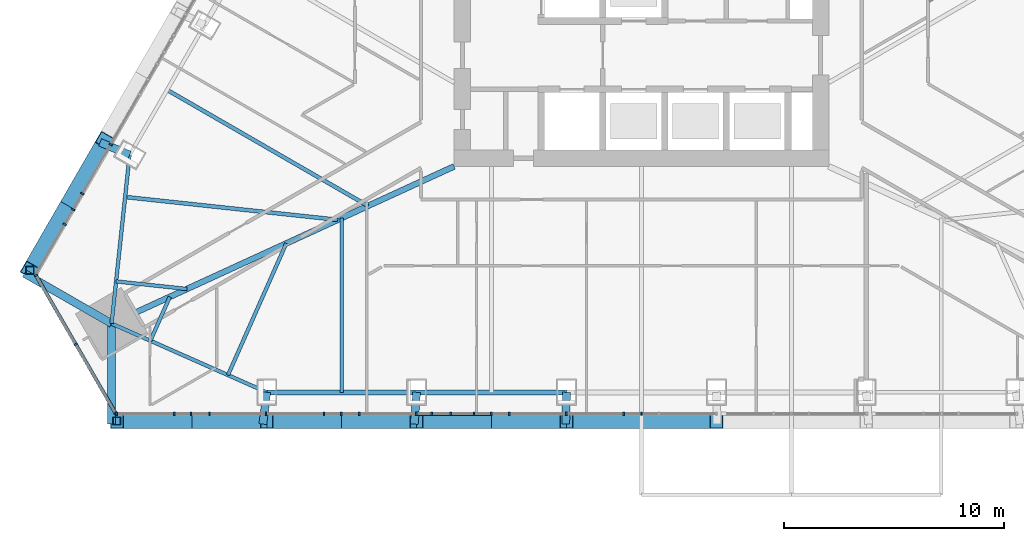
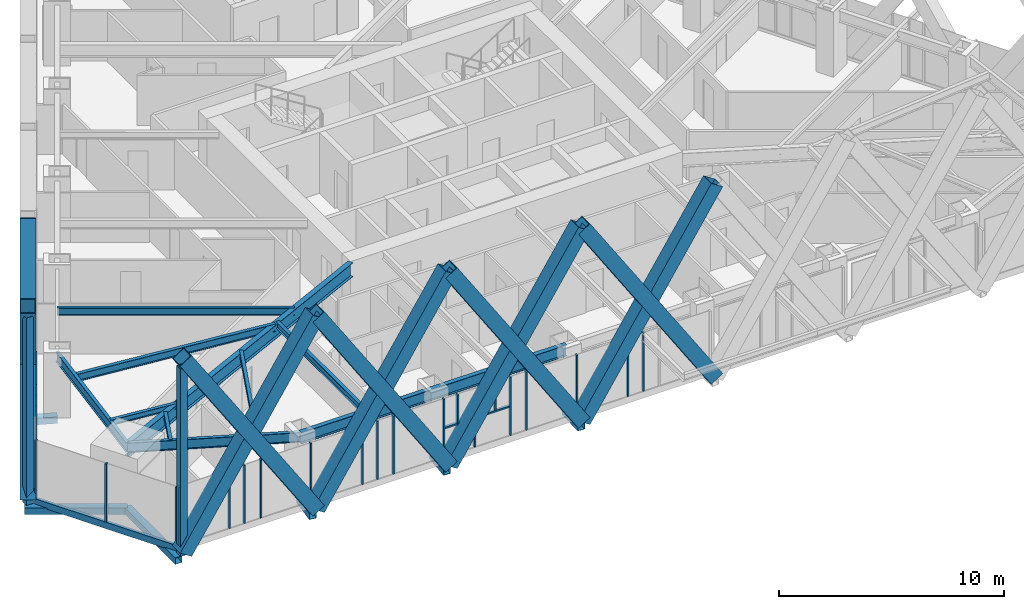
# One storey, part 2 of 24: 44 members, 10 beams, 3 elements without a shape of their own.
"""IFC4 building model written with IfcOpenShell, lengths in metres."""

import ifcopenshell
import ifcopenshell.guid

model = None  # the IFC model being written
_history = None  # IfcOwnerHistory: only IFC2X3 demands one
_inside = {}  # id of a spatial element -> (the spatial element, [elements in it])
_under = {}  # id of a project, library or spatial element -> (it, [spatial elements below it])
_declared = {}  # id of a project -> (the project, [libraries it declares])
_typed = {}  # id of a type object -> (the type object, [elements of that type])
_made_of = {}  # id of a material, layer set ... -> (it, [elements and type objects made of it])


def new_model(schema):
    """Start an empty IFC model of exactly this schema.

    Asked for "IFC4X3", IfcOpenShell would pick the latest addendum, in which some entities
    have other attributes; the version numbers below select the first issue.
    IFC2X3 requires an IfcOwnerHistory on every rooted entity: one is made here for all.
    """
    global model, _history
    if schema == "IFC4X3":
        model = ifcopenshell.file(schema_version=(4, 3, 0, 0))
    else:
        model = ifcopenshell.file(schema=schema)
    _inside.clear()
    _under.clear()
    _declared.clear()
    _typed.clear()
    _made_of.clear()
    _history = None
    if model.schema == "IFC2X3":
        org = make("IfcOrganization", Name="unknown")
        user = make(
            "IfcPersonAndOrganization",
            ThePerson=make("IfcPerson", FamilyName="unknown"),
            TheOrganization=org,
        )
        app = make(
            "IfcApplication",
            ApplicationDeveloper=org,
            Version="unknown",
            ApplicationFullName="unknown",
            ApplicationIdentifier="unknown",
        )
        _history = make(
            "IfcOwnerHistory",
            OwningUser=user,
            OwningApplication=app,
            ChangeAction="ADDED",
            CreationDate=0,
        )
    return model


def make(cls, **values):
    """One entity of the class cls with the attributes given. An attribute that is None is left unset."""
    return model.create_entity(
        cls, **{name: value for name, value in values.items() if value is not None}
    )


def rooted(cls, **values):
    """An entity with a GlobalId (a new one), such as an element, a storey or a relation."""
    return make(cls, GlobalId=ifcopenshell.guid.new(), OwnerHistory=_history, **values)


def si_unit(unit_type, name, prefix=None):
    """IfcSIUnit, for example si_unit("LENGTHUNIT", "METRE", prefix="MILLI")."""
    return make("IfcSIUnit", UnitType=unit_type, Prefix=prefix, Name=name)


def assignment(units):
    """IfcUnitAssignment: the units of a project."""
    return None if units is None else make("IfcUnitAssignment", Units=units)


def point(xyz):
    """IfcCartesianPoint."""
    return None if xyz is None else make("IfcCartesianPoint", Coordinates=xyz)


def direction(xyz):
    """IfcDirection."""
    return None if xyz is None else make("IfcDirection", DirectionRatios=xyz)


def frame(location, z_axis=None, x_axis=None):
    """IfcAxis2Placement3D, a coordinate frame: its origin and axes. An axis left out is left unset."""
    return make(
        "IfcAxis2Placement3D",
        Location=point(location),
        Axis=direction(z_axis),
        RefDirection=direction(x_axis),
    )


def frame_2d(location, x_axis=None):
    """IfcAxis2Placement2D, a coordinate frame in the plane: its origin and x axis."""
    return make(
        "IfcAxis2Placement2D", Location=point(location), RefDirection=direction(x_axis)
    )


def origin():
    """The frame at (0, 0, 0) with its axes left unset."""
    return frame((0.0, 0.0, 0.0))


def origin_2d():
    """The frame at (0, 0) in the plane with its x axis left unset."""
    return frame_2d((0.0, 0.0))


def place(relative_to, where):
    """IfcLocalPlacement: puts the frame where relative to a parent placement (None: the world)."""
    return make(
        "IfcLocalPlacement", PlacementRelTo=relative_to, RelativePlacement=where
    )


def context(
    kind, dimensions, precision=None, world=None, true_north=None, identifier=None
):
    """IfcGeometricRepresentationContext, for example the 3D "Model" context."""
    return make(
        "IfcGeometricRepresentationContext",
        ContextIdentifier=identifier,
        ContextType=kind,
        CoordinateSpaceDimension=dimensions,
        Precision=precision,
        WorldCoordinateSystem=world,
        TrueNorth=true_north,
    )


def subcontext(parent, identifier, kind, view, scale=None):
    """IfcGeometricRepresentationSubContext, for example "Body" below "Model"."""
    return make(
        "IfcGeometricRepresentationSubContext",
        ContextIdentifier=identifier,
        ContextType=kind,
        ParentContext=parent,
        TargetScale=scale,
        TargetView=view,
    )


def project(units=None, contexts=None):
    """IfcProject with its units and contexts."""
    return rooted(
        "IfcProject",
        Name="project",
        RepresentationContexts=contexts,
        UnitsInContext=assignment(units),
    )


def spatial(cls, under=None, at=None, **own):
    """A site, building, storey or space (cls), placed at a placement, below another one or the project."""
    s = rooted(cls, ObjectPlacement=at, **own)
    if under is not None:
        _under.setdefault(under.id(), (under, []))[1].append(s)
    return s


def profile(cls, at=None, kind="AREA", **sizes):
    """A parametric profile (cls). Its sizes go by their IFC names, for example OverallWidth=200.0."""
    return make(cls, ProfileType=kind, Position=at, **sizes)


def rectangle(**sizes):
    """IfcRectangleProfileDef."""
    return profile("IfcRectangleProfileDef", **sizes)


def hollow_rectangle(**sizes):
    """IfcRectangleHollowProfileDef."""
    return profile("IfcRectangleHollowProfileDef", **sizes)


def i_section(**sizes):
    """IfcIShapeProfileDef."""
    return profile("IfcIShapeProfileDef", **sizes)


def extrude(swept, where, along, depth):
    """IfcExtrudedAreaSolid: the profile swept, set in the frame where, extruded along a direction by depth."""
    return make(
        "IfcExtrudedAreaSolid",
        SweptArea=swept,
        Position=where,
        ExtrudedDirection=direction(along),
        Depth=depth,
    )


def shape(context_of_items, identifier, shape_type, items):
    """IfcShapeRepresentation: the items that make up one representation, for example the "Body"."""
    return make(
        "IfcShapeRepresentation",
        ContextOfItems=context_of_items,
        RepresentationIdentifier=identifier,
        RepresentationType=shape_type,
        Items=items,
    )


def material(Name=None, Category=None):
    """IfcMaterial."""
    return make("IfcMaterial", Name=Name, Category=Category)


def layer(
    of_material, thickness, ventilated=None, Name=None, Category=None, Priority=None
):
    """IfcMaterialLayer: one layer of a wall or slab, of a material (None: an air gap)."""
    return make(
        "IfcMaterialLayer",
        Material=of_material,
        LayerThickness=thickness,
        IsVentilated=ventilated,
        Name=Name,
        Category=Category,
        Priority=Priority,
    )


def layer_set(layers, Name=None):
    """IfcMaterialLayerSet."""
    return make("IfcMaterialLayerSet", MaterialLayers=layers, LayerSetName=Name)


def material_profile(
    of_material, cross_section, Name=None, Category=None, Priority=None
):
    """IfcMaterialProfile: a cross section and its material."""
    return make(
        "IfcMaterialProfile",
        Name=Name,
        Material=of_material,
        Profile=cross_section,
        Priority=Priority,
        Category=Category,
    )


def profile_set(profiles, Name=None, composite=None):
    """IfcMaterialProfileSet."""
    return make(
        "IfcMaterialProfileSet",
        Name=Name,
        MaterialProfiles=profiles,
        CompositeProfile=composite,
    )


def made_of(thing, what):
    """Note that an element or type object is made of a material, layer set ...; save() writes the relation."""
    if what is not None:
        _made_of.setdefault(what.id(), (what, []))[1].append(thing)
    return thing


def type_object(cls, material=None, **own):
    """A type object (cls), such as IfcWallType, which elements share."""
    return made_of(rooted(cls, **own), material)


def element(
    cls,
    number,
    at=None,
    inside=None,
    cuts=None,
    type_object=None,
    material=None,
    context=None,
    identifier="Body",
    shape_type=None,
    held_by="IfcProductDefinitionShape",
    body=None,
    shapes=None,
    **own,
):
    """One element of the class cls, such as IfcWall. Its Tag is "e" and its number.

    at: its placement. inside: the storey or other place that contains it. cuts: it is an
    opening in that element (IfcRelVoidsElement). A single representation is given by context,
    identifier, shape_type and body (its items); several are given by shapes. held_by: the class
    of the entity that holds the representations. save() writes the other relations.
    """
    e = rooted(cls, Tag="e%d" % number, ObjectPlacement=at, **own)
    if body is not None:
        shapes = [shape(context, identifier, shape_type, body)]
    if shapes is not None:
        e.Representation = make(held_by, Representations=shapes)
    if inside is not None:
        _inside.setdefault(inside.id(), (inside, []))[1].append(e)
    if cuts is not None:
        rooted(
            "IfcRelVoidsElement", RelatingBuildingElement=cuts, RelatedOpeningElement=e
        )
    if type_object is not None:
        _typed.setdefault(type_object.id(), (type_object, []))[1].append(e)
    return made_of(e, material)


def aggregate(whole, parts):
    """IfcRelAggregates: a whole, such as a stair, and the parts it consists of."""
    return rooted("IfcRelAggregates", RelatingObject=whole, RelatedObjects=parts)


def save(model, path):
    """Write the relations noted so far, then the file.

    IfcRelAggregates (storeys below a building ...), IfcRelContainedInSpatialStructure (elements
    in a storey), IfcRelDefinesByType, IfcRelAssociatesMaterial and IfcRelDeclares: one each for
    every whole, place, type object, material and project.
    """
    for whole, parts in _under.values():
        aggregate(whole, parts)
    for where, things in _inside.values():
        rooted(
            "IfcRelContainedInSpatialStructure",
            RelatedElements=things,
            RelatingStructure=where,
        )
    for kind, things in _typed.values():
        rooted("IfcRelDefinesByType", RelatedObjects=things, RelatingType=kind)
    for what, things in _made_of.values():
        rooted("IfcRelAssociatesMaterial", RelatedObjects=things, RelatingMaterial=what)
    for by, libraries in _declared.values():
        rooted("IfcRelDeclares", RelatingContext=by, RelatedDefinitions=libraries)
    model.write(path)


model = new_model("IFC4")

# Units and contexts
model_context = context("Model", 3, precision=1e-05, world=origin(), true_north=direction((0.0, 1.0)))
body_context = subcontext(model_context, "Body", "Model", "MODEL_VIEW")
ifc_project = project(units=[si_unit("LENGTHUNIT", "METRE"), si_unit("AREAUNIT", "SQUARE_METRE"), si_unit("VOLUMEUNIT", "CUBIC_METRE"), si_unit("PLANEANGLEUNIT", "RADIAN"), si_unit("MASSUNIT", "GRAM", prefix="KILO")], contexts=[model_context])

# Site, building, storey
site_placement = place(None, origin())
site = spatial("IfcSite", under=ifc_project, at=site_placement, CompositionType="ELEMENT")
building_placement = place(site_placement, origin())
building = spatial("IfcBuilding", under=site, at=building_placement, Name="Firuza Gate Tower and Library", CompositionType="ELEMENT")
storey_placement = place(building_placement, frame((0.0, 0.0, 260.10009765625)))
storey = spatial("IfcBuildingStorey", under=building, at=storey_placement, Name="L61", CompositionType="ELEMENT", Elevation=260.10009765625)

# Members
ifc_material_1 = material(Name="Steel S355", Category="steel")
ifc_material_profile_1 = material_profile(ifc_material_1, hollow_rectangle(XDim=0.699951171875, YDim=0.699951171875, WallThickness=0.030029296875, at=origin_2d()))
ifc_profile_set_1 = profile_set([ifc_material_profile_1], Name="Steel S355")
member_type_1 = type_object("IfcMemberType", Name="BU700x700x30 Lattice brace", PredefinedType="BRACE", material=ifc_profile_set_1)
for number, where, z_axis, x_axis, name in (
    (1, (51.199951171875, 56.7021484375, 0.0), (0.543585438584, 0.0, 0.839353841332), (0.0, 1.0, 0.0), "Lattice brace S 15.1R"),
    (2, (58.0, 56.7021484375, 0.0), (-0.543585438584, 0.0, 0.839353841332), (0.0, -1.0, 0.0), "Lattice brace S 15.1L"),
    (3, (58.0, 56.7021484375, 0.0), (0.543585438584, 0.0, 0.839353841332), (0.0, 1.0, 0.0), "Lattice brace S 15.2R"),
    (4, (64.800048828125, 56.7021484375, 0.0), (-0.543585438584, 0.0, 0.839353841332), (0.0, -1.0, 0.0), "Lattice brace S 15.2L"),
    (5, (64.800048828125, 56.7021484375, 0.0), (0.543585438584, 0.0, 0.839353841332), (0.0, 1.0, 0.0), "Lattice brace S 15.3R"),
    (6, (71.60009765625, 56.7021484375, 0.0), (-0.543585438584, 0.0, 0.839353841332), (0.0, -1.0, 0.0), "Lattice brace S 15.3L"),
    (7, (71.60009765625, 56.7021484375, 0.0), (0.543571688894, 0.0, 0.839362745798), (0.0, 1.0, 0.0), "Lattice brace S 15.4R"),
    (8, (78.39990234375, 56.7021484375, 0.0), (-0.543571688894, 0.0, 0.839362745798), (0.0, -1.0, 0.0), "Lattice brace S 15.4L"),
    (9, (50.653564453125, 69.426513671875, 0.0), (-0.2717846947, -0.470753886318, 0.839359195007), (0.866029536736, -0.499992841449, 0.0), "Lattice brace W 15.7R"),
    (10, (47.253662109375, 63.53759765625, 0.0), (0.2717846947, 0.470753886318, 0.839359195007), (-0.866029536736, 0.499992841449, 0.0), "Lattice brace W 15.7L"),
):
    element("IfcMember", number, at=place(storey_placement, frame(where, z_axis=z_axis, x_axis=x_axis)), inside=storey, type_object=member_type_1, Name=name, PredefinedType="BRACE", context=body_context, shape_type="SweptSolid", body=[
        extrude(hollow_rectangle(XDim=0.699951171875, YDim=0.699951171875, WallThickness=0.030029296875, at=origin_2d()), origin(), (0.0, 0.0, 1.0), 12.509521484375),
    ])

# Curtain wall, members
ifc_material_2 = material(Name="Aluminium 6063-T6", Category="aluminium")
ifc_layer_1 = layer(ifc_material_2, 0.14990234375)
ifc_layer_set_1 = layer_set([ifc_layer_1], Name="Unitised curtain wall, residences")
curtain_wall_type_1 = type_object("IfcCurtainWallType", Name="Unitised curtain wall, residences", PredefinedType="NOTDEFINED", material=ifc_layer_set_1)
placement = place(storey_placement, origin())
curtain_wall_1 = element("IfcCurtainWall", 11, at=placement, inside=storey, type_object=curtain_wall_type_1, Name="CW3 L61 S face", PredefinedType="NOTDEFINED")
ifc_material_3 = material(Name="Aluminium 6063-T6", Category="aluminium")
ifc_material_profile_2 = material_profile(ifc_material_3, rectangle(XDim=0.14990234375, YDim=0.080078125, at=origin_2d()))
ifc_profile_set_2 = profile_set([ifc_material_profile_2], Name="Aluminium 6063-T6")
member_type_2 = type_object("IfcMemberType", Name="Curtain wall mullion 80x150", PredefinedType="MULLION", material=ifc_profile_set_2)
member_1_placement = place(storey_placement, frame((51.19677734375, 57.027099609375, 0.14990234375), z_axis=(0.0, 0.0, 1.0), x_axis=(0.0, 1.0, 0.0)))
member_1 = element("IfcMember", 12, at=member_1_placement, type_object=member_type_2, Name="Mullion", PredefinedType="MULLION", context=body_context, shape_type="SweptSolid", body=[
    extrude(rectangle(XDim=0.14990234375, YDim=0.080078125, at=origin_2d()), origin(), (0.0, 0.0, 1.0), 3.14990234375),
])
member_2_placement = place(storey_placement, frame((54.56298828125, 57.027099609375, 0.14990234375), z_axis=(0.0, 0.0, 1.0), x_axis=(0.0, 1.0, 0.0)))
member_2 = element("IfcMember", 13, at=member_2_placement, type_object=member_type_2, Name="Mullion", PredefinedType="MULLION", context=body_context, shape_type="SweptSolid", body=[
    extrude(rectangle(XDim=0.14990234375, YDim=0.080078125, at=origin_2d()), origin(), (0.0, 0.0, 1.0), 3.14990234375),
])
member_3_placement = place(storey_placement, frame((57.968994140625, 57.027099609375, 0.14990234375), z_axis=(0.0, 0.0, 1.0), x_axis=(0.0, 1.0, 0.0)))
member_3 = element("IfcMember", 14, at=member_3_placement, type_object=member_type_2, Name="Mullion", PredefinedType="MULLION", context=body_context, shape_type="SweptSolid", body=[
    extrude(rectangle(XDim=0.14990234375, YDim=0.080078125, at=origin_2d()), origin(), (0.0, 0.0, 1.0), 3.14990234375),
])
member_4_placement = place(storey_placement, frame((61.375244140625, 57.027099609375, 0.14990234375), z_axis=(0.0, 0.0, 1.0), x_axis=(0.0, 1.0, 0.0)))
member_4 = element("IfcMember", 15, at=member_4_placement, type_object=member_type_2, Name="Mullion", PredefinedType="MULLION", context=body_context, shape_type="SweptSolid", body=[
    extrude(rectangle(XDim=0.14990234375, YDim=0.080078125, at=origin_2d()), origin(), (0.0, 0.0, 1.0), 3.14990234375),
])
member_5_placement = place(storey_placement, frame((64.781494140625, 57.027099609375, 0.14990234375), z_axis=(0.0, 0.0, 1.0), x_axis=(0.0, 1.0, 0.0)))
member_5 = element("IfcMember", 16, at=member_5_placement, type_object=member_type_2, Name="Mullion", PredefinedType="MULLION", context=body_context, shape_type="SweptSolid", body=[
    extrude(rectangle(XDim=0.14990234375, YDim=0.080078125, at=origin_2d()), origin(), (0.0, 0.0, 1.0), 3.14990234375),
])
member_6_placement = place(storey_placement, frame((68.187744140625, 57.027099609375, 0.14990234375), z_axis=(0.0, 0.0, 1.0), x_axis=(0.0, 1.0, 0.0)))
member_6 = element("IfcMember", 17, at=member_6_placement, type_object=member_type_2, Name="Mullion", PredefinedType="MULLION", context=body_context, shape_type="SweptSolid", body=[
    extrude(rectangle(XDim=0.14990234375, YDim=0.080078125, at=origin_2d()), origin(), (0.0, 0.0, 1.0), 3.14990234375),
])
member_7_placement = place(storey_placement, frame((71.59375, 57.027099609375, 0.14990234375), z_axis=(0.0, 0.0, 1.0), x_axis=(0.0, 1.0, 0.0)))
member_7 = element("IfcMember", 18, at=member_7_placement, type_object=member_type_2, Name="Mullion", PredefinedType="MULLION", context=body_context, shape_type="SweptSolid", body=[
    extrude(rectangle(XDim=0.14990234375, YDim=0.080078125, at=origin_2d()), origin(), (0.0, 0.0, 1.0), 3.14990234375),
])
member_8_placement = place(storey_placement, frame((75.0, 57.027099609375, 0.14990234375), z_axis=(0.0, 0.0, 1.0), x_axis=(0.0, 1.0, 0.0)))
member_8 = element("IfcMember", 19, at=member_8_placement, type_object=member_type_2, Name="Mullion", PredefinedType="MULLION", context=body_context, shape_type="SweptSolid", body=[
    extrude(rectangle(XDim=0.14990234375, YDim=0.080078125, at=origin_2d()), origin(), (0.0, 0.0, 1.0), 3.14990234375),
])
member_9_placement = place(storey_placement, frame((53.799072265625, 57.027099609375, 0.14990234375), z_axis=(0.0, 0.0, 1.0), x_axis=(0.0, 1.0, 0.0)))
member_9 = element("IfcMember", 20, at=member_9_placement, type_object=member_type_2, Name="Mullion", PredefinedType="MULLION", context=body_context, shape_type="SweptSolid", body=[
    extrude(rectangle(XDim=0.14990234375, YDim=0.080078125, at=origin_2d()), origin(), (0.0, 0.0, 1.0), 3.14990234375),
])
member_10_placement = place(storey_placement, frame((55.40087890625, 57.027099609375, 0.14990234375), z_axis=(0.0, 0.0, 1.0), x_axis=(0.0, 1.0, 0.0)))
member_10 = element("IfcMember", 21, at=member_10_placement, type_object=member_type_2, Name="Mullion", PredefinedType="MULLION", context=body_context, shape_type="SweptSolid", body=[
    extrude(rectangle(XDim=0.14990234375, YDim=0.080078125, at=origin_2d()), origin(), (0.0, 0.0, 1.0), 3.14990234375),
])
member_11_placement = place(storey_placement, frame((60.59912109375, 57.027099609375, 0.14990234375), z_axis=(0.0, 0.0, 1.0), x_axis=(0.0, 1.0, 0.0)))
member_11 = element("IfcMember", 22, at=member_11_placement, type_object=member_type_2, Name="Mullion", PredefinedType="MULLION", context=body_context, shape_type="SweptSolid", body=[
    extrude(rectangle(XDim=0.14990234375, YDim=0.080078125, at=origin_2d()), origin(), (0.0, 0.0, 1.0), 3.14990234375),
])
member_12_placement = place(storey_placement, frame((62.200927734375, 57.027099609375, 0.14990234375), z_axis=(0.0, 0.0, 1.0), x_axis=(0.0, 1.0, 0.0)))
member_12 = element("IfcMember", 23, at=member_12_placement, type_object=member_type_2, Name="Mullion", PredefinedType="MULLION", context=body_context, shape_type="SweptSolid", body=[
    extrude(rectangle(XDim=0.14990234375, YDim=0.080078125, at=origin_2d()), origin(), (0.0, 0.0, 1.0), 3.14990234375),
])
member_13_placement = place(storey_placement, frame((66.353271484375, 57.027099609375, 0.14990234375), z_axis=(0.0, 0.0, 1.0), x_axis=(0.0, 1.0, 0.0)))
member_13 = element("IfcMember", 24, at=member_13_placement, type_object=member_type_2, Name="Mullion", PredefinedType="MULLION", context=body_context, shape_type="SweptSolid", body=[
    extrude(rectangle(XDim=0.14990234375, YDim=0.080078125, at=origin_2d()), origin(), (0.0, 0.0, 1.0), 1.534912109375),
])
member_14_placement = place(storey_placement, frame((65.48095703125, 57.027099609375, 1.764892578125), z_axis=(0.0, 0.0, 1.0), x_axis=(0.0, 1.0, 0.0)))
member_14 = element("IfcMember", 25, at=member_14_placement, type_object=member_type_2, Name="Mullion", PredefinedType="MULLION", context=body_context, shape_type="SweptSolid", body=[
    extrude(rectangle(XDim=0.14990234375, YDim=0.080078125, at=origin_2d()), origin(), (0.0, 0.0, 1.0), 1.534912109375),
])
member_15_placement = place(storey_placement, frame((67.399169921875, 57.027099609375, 1.764892578125), z_axis=(0.0, 0.0, 1.0), x_axis=(0.0, 1.0, 0.0)))
member_15 = element("IfcMember", 26, at=member_15_placement, type_object=member_type_2, Name="Mullion", PredefinedType="MULLION", context=body_context, shape_type="SweptSolid", body=[
    extrude(rectangle(XDim=0.14990234375, YDim=0.080078125, at=origin_2d()), origin(), (0.0, 0.0, 1.0), 1.534912109375),
])
member_16_placement = place(storey_placement, frame((69.0009765625, 57.027099609375, 0.14990234375), z_axis=(0.0, 0.0, 1.0), x_axis=(0.0, 1.0, 0.0)))
member_16 = element("IfcMember", 27, at=member_16_placement, type_object=member_type_2, Name="Mullion", PredefinedType="MULLION", context=body_context, shape_type="SweptSolid", body=[
    extrude(rectangle(XDim=0.14990234375, YDim=0.080078125, at=origin_2d()), origin(), (0.0, 0.0, 1.0), 3.14990234375),
])
member_17_placement = place(storey_placement, frame((74.19921875, 57.027099609375, 0.14990234375), z_axis=(0.0, 0.0, 1.0), x_axis=(0.0, 1.0, 0.0)))
member_17 = element("IfcMember", 28, at=member_17_placement, type_object=member_type_2, Name="Mullion", PredefinedType="MULLION", context=body_context, shape_type="SweptSolid", body=[
    extrude(rectangle(XDim=0.14990234375, YDim=0.080078125, at=origin_2d()), origin(), (0.0, 0.0, 1.0), 3.14990234375),
])

curtain_wall_2 = element("IfcCurtainWall", 29, at=placement, inside=storey, type_object=curtain_wall_type_1, Name="CW3 L61 W face", PredefinedType="NOTDEFINED")
member_18_placement = place(storey_placement, frame((50.919677734375, 69.2373046875, 0.14990234375), z_axis=(0.0, 0.0, 1.0), x_axis=(0.866025403784, -0.5, 0.0)))
member_18 = element("IfcMember", 30, at=member_18_placement, type_object=member_type_2, Name="Mullion", PredefinedType="MULLION", context=body_context, shape_type="SweptSolid", body=[
    extrude(rectangle(XDim=0.14990234375, YDim=0.080078125, at=origin_2d()), origin(), (0.0, 0.0, 1.0), 3.14990234375),
])
member_19_placement = place(storey_placement, frame((49.216552734375, 66.287353515625, 0.14990234375), z_axis=(0.0, 0.0, 1.0), x_axis=(0.866025403784, -0.5, 0.0)))
member_19 = element("IfcMember", 31, at=member_19_placement, type_object=member_type_2, Name="Mullion", PredefinedType="MULLION", context=body_context, shape_type="SweptSolid", body=[
    extrude(rectangle(XDim=0.14990234375, YDim=0.080078125, at=origin_2d()), origin(), (0.0, 0.0, 1.0), 3.14990234375),
])
member_20_placement = place(storey_placement, frame((49.635498046875, 67.01318359375, 0.14990234375), z_axis=(0.0, 0.0, 1.0), x_axis=(0.866025403784, -0.5, 0.0)))
member_20 = element("IfcMember", 32, at=member_20_placement, type_object=member_type_2, Name="Mullion", PredefinedType="MULLION", context=body_context, shape_type="SweptSolid", body=[
    extrude(rectangle(XDim=0.14990234375, YDim=0.080078125, at=origin_2d()), origin(), (0.0, 0.0, 1.0), 3.14990234375),
])
member_21_placement = place(storey_placement, frame((48.834716796875, 65.6259765625, 0.14990234375), z_axis=(0.0, 0.0, 1.0), x_axis=(0.866025403784, -0.5, 0.0)))
member_21 = element("IfcMember", 33, at=member_21_placement, type_object=member_type_2, Name="Mullion", PredefinedType="MULLION", context=body_context, shape_type="SweptSolid", body=[
    extrude(rectangle(XDim=0.14990234375, YDim=0.080078125, at=origin_2d()), origin(), (0.0, 0.0, 1.0), 3.14990234375),
])
aggregate(curtain_wall_2, [member_18, member_19, member_20, member_21])

ifc_material_4 = material(Name="Aluminium 6063-T6", Category="aluminium")
ifc_layer_2 = layer(ifc_material_4, 0.14990234375)
ifc_layer_set_2 = layer_set([ifc_layer_2], Name="Corner curtain wall, chamfers")
curtain_wall_type_2 = type_object("IfcCurtainWallType", Name="Corner curtain wall, chamfers", PredefinedType="NOTDEFINED", material=ifc_layer_set_2)
curtain_wall_3 = element("IfcCurtainWall", 34, at=placement, inside=storey, type_object=curtain_wall_type_2, Name="CW4 L61 SW corner", PredefinedType="NOTDEFINED")
member_22_placement = place(storey_placement, frame((47.533447265625, 63.302978515625, 0.14990234375), z_axis=(0.0, 0.0, 1.0), x_axis=(0.866025403784, 0.5, 0.0)))
member_22 = element("IfcMember", 35, at=member_22_placement, type_object=member_type_2, Name="Mullion", PredefinedType="MULLION", context=body_context, shape_type="SweptSolid", body=[
    extrude(rectangle(XDim=0.14990234375, YDim=0.080078125, at=origin_2d()), origin(), (0.0, 0.0, 1.0), 3.14990234375),
])
member_23_placement = place(storey_placement, frame((49.3349609375, 60.182373046875, 0.14990234375), z_axis=(0.0, 0.0, 1.0), x_axis=(0.866025403784, 0.5, 0.0)))
member_23 = element("IfcMember", 36, at=member_23_placement, type_object=member_type_2, Name="Mullion", PredefinedType="MULLION", context=body_context, shape_type="SweptSolid", body=[
    extrude(rectangle(XDim=0.14990234375, YDim=0.080078125, at=origin_2d()), origin(), (0.0, 0.0, 1.0), 3.14990234375),
])
member_24_placement = place(storey_placement, frame((51.13671875, 57.061767578125, 0.14990234375), z_axis=(0.0, 0.0, 1.0), x_axis=(0.866025403784, 0.5, 0.0)))
member_24 = element("IfcMember", 37, at=member_24_placement, type_object=member_type_2, Name="Mullion", PredefinedType="MULLION", context=body_context, shape_type="SweptSolid", body=[
    extrude(rectangle(XDim=0.14990234375, YDim=0.080078125, at=origin_2d()), origin(), (0.0, 0.0, 1.0), 3.14990234375),
])
ifc_material_5 = material(Name="Aluminium 6063-T6", Category="aluminium")
ifc_material_profile_3 = material_profile(ifc_material_5, rectangle(XDim=0.14990234375, YDim=0.35009765625, at=origin_2d()))
ifc_profile_set_3 = profile_set([ifc_material_profile_3], Name="Aluminium 6063-T6")
member_type_3 = type_object("IfcMemberType", Name="Curtain wall transom 350x150", PredefinedType="USERDEFINED", material=ifc_profile_set_3)
member_25_placement = place(storey_placement, frame((47.513427734375, 63.337646484375, -0.025146484375), z_axis=(0.499991211061, -0.866030478021, 0.0), x_axis=(0.866030478021, 0.499991211061, 0.0)))
member_25 = element("IfcMember", 38, at=member_25_placement, type_object=member_type_3, Name="Transom", ObjectType="TRANSOM", PredefinedType="USERDEFINED", context=body_context, shape_type="SweptSolid", body=[
    extrude(rectangle(XDim=0.14990234375, YDim=0.35009765625, at=origin_2d()), origin(), (0.0, 0.0, 1.0), 7.286865234375),
])
aggregate(curtain_wall_3, [member_22, member_23, member_24, member_25])

# Member
ifc_material_6 = material(Name="Aluminium 6063-T6", Category="aluminium")
ifc_material_profile_4 = material_profile(ifc_material_6, rectangle(XDim=0.14990234375, YDim=0.080078125, at=origin_2d()))
ifc_profile_set_4 = profile_set([ifc_material_profile_4], Name="Aluminium 6063-T6")
member_type_4 = type_object("IfcMemberType", Name="Curtain wall transom 80x150", PredefinedType="USERDEFINED", material=ifc_profile_set_4)
member_26_placement = place(storey_placement, frame((64.821533203125, 57.027099609375, 1.724853515625), z_axis=(1.0, 0.0, 0.0), x_axis=(0.0, 1.0, 0.0)))
member_26 = element("IfcMember", 39, at=member_26_placement, type_object=member_type_4, Name="Transom", ObjectType="TRANSOM", PredefinedType="USERDEFINED", context=body_context, shape_type="SweptSolid", body=[
    extrude(rectangle(XDim=0.14990234375, YDim=0.080078125, at=origin_2d()), origin(), (0.0, 0.0, 1.0), 3.326171875),
])

aggregate(curtain_wall_1, [member_1, member_2, member_3, member_4, member_5, member_6, member_7, member_8, member_9, member_10, member_11, member_12, member_13, member_14, member_15, member_26, member_16, member_17])

# Members
ifc_material_7 = material(Name="Steel S355", Category="steel")
ifc_material_profile_5 = material_profile(ifc_material_7, hollow_rectangle(XDim=0.355712890625, YDim=0.355712890625, WallThickness=0.014892578125, at=origin_2d()))
ifc_profile_set_5 = profile_set([ifc_material_profile_5], Name="Steel S355")
member_type_5 = type_object("IfcMemberType", Name="HSS356x356x16 Lattice corner stile", PredefinedType="BRACE", material=ifc_profile_set_5)
for number, where, z_axis, x_axis, name in (
    (40, (51.199951171875, 56.7021484375, -0.14013671875), (0.0, 0.0, 1.0), (1.0, 0.0, 0.0), "Lattice corner stile S 15.A"),
    (41, (47.253662109375, 63.53759765625, -0.14013671875), (0.0, 0.0, 1.0), (1.0, 0.0, 0.0), "Lattice corner stile W 15.B"),
):
    element("IfcMember", number, at=place(storey_placement, frame(where, z_axis=z_axis, x_axis=x_axis)), inside=storey, type_object=member_type_5, Name=name, PredefinedType="BRACE", context=body_context, shape_type="SweptSolid", body=[
        extrude(hollow_rectangle(XDim=0.355712890625, YDim=0.355712890625, WallThickness=0.014892578125, at=origin_2d()), origin(), (0.0, 0.0, 1.0), 10.14013671875),
    ])
ifc_material_8 = material(Name="Steel S355", Category="steel")
ifc_material_profile_6 = material_profile(ifc_material_8, hollow_rectangle(XDim=0.355712890625, YDim=0.355712890625, WallThickness=0.014892578125, at=origin_2d()))
ifc_profile_set_6 = profile_set([ifc_material_profile_6], Name="Steel S355")
member_type_6 = type_object("IfcMemberType", Name="HSS356x356x16 Lattice node tie", PredefinedType="BRACE", material=ifc_profile_set_6)
member_27_placement = place(storey_placement, frame((50.958740234375, 61.119873046875, -0.320068359375), z_axis=(-0.001926572471, -0.999998144158, 0.0), x_axis=(0.999998144158, -0.001926572471, 0.0)))
element("IfcMember", 42, at=member_27_placement, inside=storey, type_object=member_type_6, Name="Lattice node tie S L61 375", PredefinedType="BRACE", context=body_context, shape_type="SweptSolid", body=[
    extrude(hollow_rectangle(XDim=0.355712890625, YDim=0.355712890625, WallThickness=0.014892578125, at=origin_2d()), origin(), (0.0, 0.0, 1.0), 4.56201171875),
])
member_28_placement = place(storey_placement, frame((58.0, 58.002197265625, -0.320068359375), z_axis=(-0.122630610594, -0.992452383415, 0.0), x_axis=(0.992452383415, -0.122630610594, 0.0)))
element("IfcMember", 43, at=member_28_placement, inside=storey, type_object=member_type_6, Name="Lattice node tie S L61 376", PredefinedType="BRACE", context=body_context, shape_type="SweptSolid", body=[
    extrude(hollow_rectangle(XDim=0.355712890625, YDim=0.355712890625, WallThickness=0.014892578125, at=origin_2d()), origin(), (0.0, 0.0, 1.0), 1.455322265625),
])
member_29_placement = place(storey_placement, frame((64.800048828125, 58.002197265625, -0.320068359375), z_axis=(-0.074002079147, -0.997258087098, 0.0), x_axis=(0.997258087098, -0.074002079147, 0.0)))
element("IfcMember", 44, at=member_29_placement, inside=storey, type_object=member_type_6, Name="Lattice node tie S L61 377", PredefinedType="BRACE", context=body_context, shape_type="SweptSolid", body=[
    extrude(hollow_rectangle(XDim=0.355712890625, YDim=0.355712890625, WallThickness=0.014892578125, at=origin_2d()), origin(), (0.0, 0.0, 1.0), 1.4482421875),
])
member_30_placement = place(storey_placement, frame((71.60009765625, 58.002197265625, -0.320068359375), z_axis=(-0.024840202988, -0.999691434551, 0.0), x_axis=(0.999691434551, -0.024840202988, 0.0)))
element("IfcMember", 45, at=member_30_placement, inside=storey, type_object=member_type_6, Name="Lattice node tie S L61 378", PredefinedType="BRACE", context=body_context, shape_type="SweptSolid", body=[
    extrude(hollow_rectangle(XDim=0.355712890625, YDim=0.355712890625, WallThickness=0.014892578125, at=origin_2d()), origin(), (0.0, 0.0, 1.0), 1.44482421875),
])
member_31_placement = place(storey_placement, frame((50.958740234375, 61.119873046875, -0.320068359375), z_axis=(-0.866998795351, 0.49831023355, 0.0), x_axis=(-0.49831023355, -0.866998795351, 0.0)))
element("IfcMember", 46, at=member_31_placement, inside=storey, type_object=member_type_6, Name="Lattice node tie W L61 383", PredefinedType="BRACE", context=body_context, shape_type="SweptSolid", body=[
    extrude(hollow_rectangle(XDim=0.355712890625, YDim=0.355712890625, WallThickness=0.014892578125, at=origin_2d()), origin(), (0.0, 0.0, 1.0), 4.561767578125),
])
member_32_placement = place(storey_placement, frame((51.779541015625, 68.776611328125, -0.320068359375), z_axis=(-0.920888518999, 0.389826032451, 0.0), x_axis=(-0.389826032451, -0.920888518999, 0.0)))
element("IfcMember", 47, at=member_32_placement, inside=storey, type_object=member_type_6, Name="Lattice node tie W L61 384", PredefinedType="BRACE", context=body_context, shape_type="SweptSolid", body=[
    extrude(hollow_rectangle(XDim=0.355712890625, YDim=0.355712890625, WallThickness=0.014892578125, at=origin_2d()), origin(), (0.0, 0.0, 1.0), 1.45556640625),
])

# Beams
ifc_material_9 = material(Name="Steel S355", Category="steel")
ifc_material_profile_7 = material_profile(ifc_material_9, i_section(OverallWidth=0.1650390625, OverallDepth=0.31005859375, WebThickness=0.005859375, FlangeThickness=0.009765625, at=origin_2d()))
ifc_profile_set_7 = profile_set([ifc_material_profile_7], Name="Steel S355")
beam_type_1 = type_object("IfcBeamType", Name="W310x39 Floor beam", PredefinedType="JOIST", material=ifc_profile_set_7)
beam_1_placement = place(storey_placement, frame((51.1640625, 63.033935546875, 3.14501953125), z_axis=(0.994311438284, -0.106511800745, 0.0), x_axis=(0.106511800745, 0.994311438284, 0.0)))
element("IfcBeam", 48, at=beam_1_placement, inside=storey, type_object=beam_type_1, Name="Floor beam L61 s01", PredefinedType="JOIST", context=body_context, shape_type="SweptSolid", body=[
    extrude(i_section(OverallWidth=0.1650390625, OverallDepth=0.31005859375, WebThickness=0.005859375, FlangeThickness=0.009765625, at=origin_2d()), origin(), (0.0, 0.0, 1.0), 3.234130859375),
])
beam_2_placement = place(storey_placement, frame((52.71923828125, 60.34033203125, 3.14501953125), z_axis=(0.404848514382, 0.914383770855, 0.0), x_axis=(-0.914383770855, 0.404848514382, 0.0)))
element("IfcBeam", 49, at=beam_2_placement, inside=storey, type_object=beam_type_1, Name="Floor beam L61 s10", PredefinedType="JOIST", context=body_context, shape_type="SweptSolid", body=[
    extrude(i_section(OverallWidth=0.1650390625, OverallDepth=0.31005859375, WebThickness=0.005859375, FlangeThickness=0.009765625, at=origin_2d()), origin(), (0.0, 0.0, 1.0), 2.17822265625),
])
beam_3_placement = place(storey_placement, frame((56.23974609375, 58.781494140625, 3.14501953125), z_axis=(0.404862345523, 0.914377646915, 0.0), x_axis=(-0.914377646915, 0.404862345523, 0.0)))
element("IfcBeam", 50, at=beam_3_placement, inside=storey, type_object=beam_type_1, Name="Floor beam L61 s11", PredefinedType="JOIST", context=body_context, shape_type="SweptSolid", body=[
    extrude(i_section(OverallWidth=0.1650390625, OverallDepth=0.31005859375, WebThickness=0.005859375, FlangeThickness=0.009765625, at=origin_2d()), origin(), (0.0, 0.0, 1.0), 6.534423828125),
])
ifc_material_10 = material(Name="Steel S355", Category="steel")
ifc_material_profile_8 = material_profile(ifc_material_10, i_section(OverallWidth=0.1708984375, OverallDepth=0.35498046875, WebThickness=0.007080078125, FlangeThickness=0.01171875, at=origin_2d()))
ifc_profile_set_8 = profile_set([ifc_material_profile_8], Name="Steel S355")
beam_type_2 = type_object("IfcBeamType", Name="W360x51 Floor beam", PredefinedType="JOIST", material=ifc_profile_set_8)
beam_4_placement = place(storey_placement, frame((61.39990234375, 58.002197265625, 3.122314453125), z_axis=(0.0, 1.0, 0.0), x_axis=(-1.0, 0.0, 0.0)))
element("IfcBeam", 51, at=beam_4_placement, inside=storey, type_object=beam_type_2, Name="Floor beam L61 s20", PredefinedType="JOIST", context=body_context, shape_type="SweptSolid", body=[
    extrude(i_section(OverallWidth=0.1708984375, OverallDepth=0.35498046875, WebThickness=0.007080078125, FlangeThickness=0.01171875, at=origin_2d()), origin(), (0.0, 0.0, 1.0), 7.907958984375),
])
ifc_material_11 = material(Name="Steel S355", Category="steel")
ifc_material_profile_9 = material_profile(ifc_material_11, i_section(OverallWidth=0.177978515625, OverallDepth=0.406982421875, WebThickness=0.0078125, FlangeThickness=0.0126953125, at=origin_2d()))
ifc_profile_set_9 = profile_set([ifc_material_profile_9], Name="Steel S355")
beam_type_3 = type_object("IfcBeamType", Name="W410x60 Floor beam", PredefinedType="JOIST", material=ifc_profile_set_9)
beam_5_placement = place(storey_placement, frame((51.57421875, 66.8623046875, 3.096435546875), z_axis=(0.994306107406, -0.106561553924, 0.0), x_axis=(0.106561553924, 0.994306107406, 0.0)))
element("IfcBeam", 52, at=beam_5_placement, inside=storey, type_object=beam_type_3, Name="Floor beam L61 s00", PredefinedType="JOIST", context=body_context, shape_type="SweptSolid", body=[
    extrude(i_section(OverallWidth=0.177978515625, OverallDepth=0.406982421875, WebThickness=0.0078125, FlangeThickness=0.0126953125, at=origin_2d()), origin(), (0.0, 0.0, 1.0), 9.70263671875),
])
beam_6_placement = place(storey_placement, frame((53.4794921875, 71.720947265625, 3.096435546875), z_axis=(0.866024898077, -0.500000875909, 0.0), x_axis=(0.500000875909, 0.866024898077, 0.0)))
element("IfcBeam", 53, at=beam_6_placement, inside=storey, type_object=beam_type_3, Name="Floor beam L61 s84", PredefinedType="JOIST", context=body_context, shape_type="SweptSolid", body=[
    extrude(i_section(OverallWidth=0.177978515625, OverallDepth=0.406982421875, WebThickness=0.0078125, FlangeThickness=0.0126953125, at=origin_2d()), origin(), (0.0, 0.0, 1.0), 10.525390625),
])
ifc_material_12 = material(Name="Steel S355", Category="steel")
ifc_material_profile_10 = material_profile(ifc_material_12, i_section(OverallWidth=0.166015625, OverallDepth=0.534912109375, WebThickness=0.01025390625, FlangeThickness=0.0166015625, at=origin_2d()))
ifc_profile_set_10 = profile_set([ifc_material_profile_10], Name="Steel S355")
beam_type_4 = type_object("IfcBeamType", Name="W530x85 Edge beam", PredefinedType="SPANDREL", material=ifc_profile_set_10)
for number, where, z_axis, x_axis, name in (
    (54, (51.779541015625, 68.776611328125, 3.032470703125), (-0.106589095348, -0.994303155357, 0.0), (0.994303155357, -0.106589095348, 0.0), "Edge beam L61 e00"),
    (55, (50.958740234375, 61.119873046875, 3.032470703125), (0.914378062231, -0.404861407534, 0.0), (0.404861407534, 0.914378062231, 0.0), "Edge beam L61 e10"),
):
    element("IfcBeam", number, at=place(storey_placement, frame(where, z_axis=z_axis, x_axis=x_axis)), inside=storey, type_object=beam_type_4, Name=name, PredefinedType="SPANDREL", context=body_context, shape_type="SweptSolid", body=[
        extrude(i_section(OverallWidth=0.166015625, OverallDepth=0.534912109375, WebThickness=0.01025390625, FlangeThickness=0.0166015625, at=origin_2d()), origin(), (0.0, 0.0, 1.0), 7.70068359375),
    ])
ifc_material_13 = material(Name="Steel S355", Category="steel")
ifc_material_profile_11 = material_profile(ifc_material_13, i_section(OverallWidth=0.22900390625, OverallDepth=0.612060546875, WebThickness=0.011962890625, FlangeThickness=0.01953125, at=origin_2d()))
ifc_profile_set_11 = profile_set([ifc_material_profile_11], Name="Steel S355")
beam_type_5 = type_object("IfcBeamType", Name="W610x125 Edge beam", PredefinedType="SPANDREL", material=ifc_profile_set_11)
beam_7_placement = place(storey_placement, frame((58.0, 58.002197265625, 2.993896484375), z_axis=(1.0, 0.0, 0.0), x_axis=(0.0, 1.0, 0.0)))
element("IfcBeam", 56, at=beam_7_placement, inside=storey, type_object=beam_type_5, Name="Edge beam L61 e20", PredefinedType="SPANDREL", context=body_context, shape_type="SweptSolid", body=[
    extrude(i_section(OverallWidth=0.22900390625, OverallDepth=0.612060546875, WebThickness=0.011962890625, FlangeThickness=0.01953125, at=origin_2d()), origin(), (0.0, 0.0, 1.0), 13.60009765625),
])
ifc_material_14 = material(Name="Steel S355", Category="steel")
ifc_material_profile_12 = material_profile(ifc_material_14, i_section(OverallWidth=0.264892578125, OverallDepth=0.7529296875, WebThickness=0.01318359375, FlangeThickness=0.01708984375, at=origin_2d()))
ifc_profile_set_12 = profile_set([ifc_material_profile_12], Name="Steel S355")
beam_type_6 = type_object("IfcBeamType", Name="W760x147 Girder", PredefinedType="BEAM", material=ifc_profile_set_12)
beam_8_placement = place(storey_placement, frame((50.958740234375, 61.119873046875, 2.92333984375), z_axis=(0.908908599986, 0.416995391907, 0.0), x_axis=(-0.416995391907, 0.908908599986, 0.0)))
element("IfcBeam", 57, at=beam_8_placement, inside=storey, type_object=beam_type_6, Name="Girder L61 gSW", PredefinedType="BEAM", context=body_context, shape_type="SweptSolid", body=[
    extrude(i_section(OverallWidth=0.264892578125, OverallDepth=0.7529296875, WebThickness=0.01318359375, FlangeThickness=0.01708984375, at=origin_2d()), origin(), (0.0, 0.0, 1.0), 17.098876953125),
])

save(model, "model.ifc")
